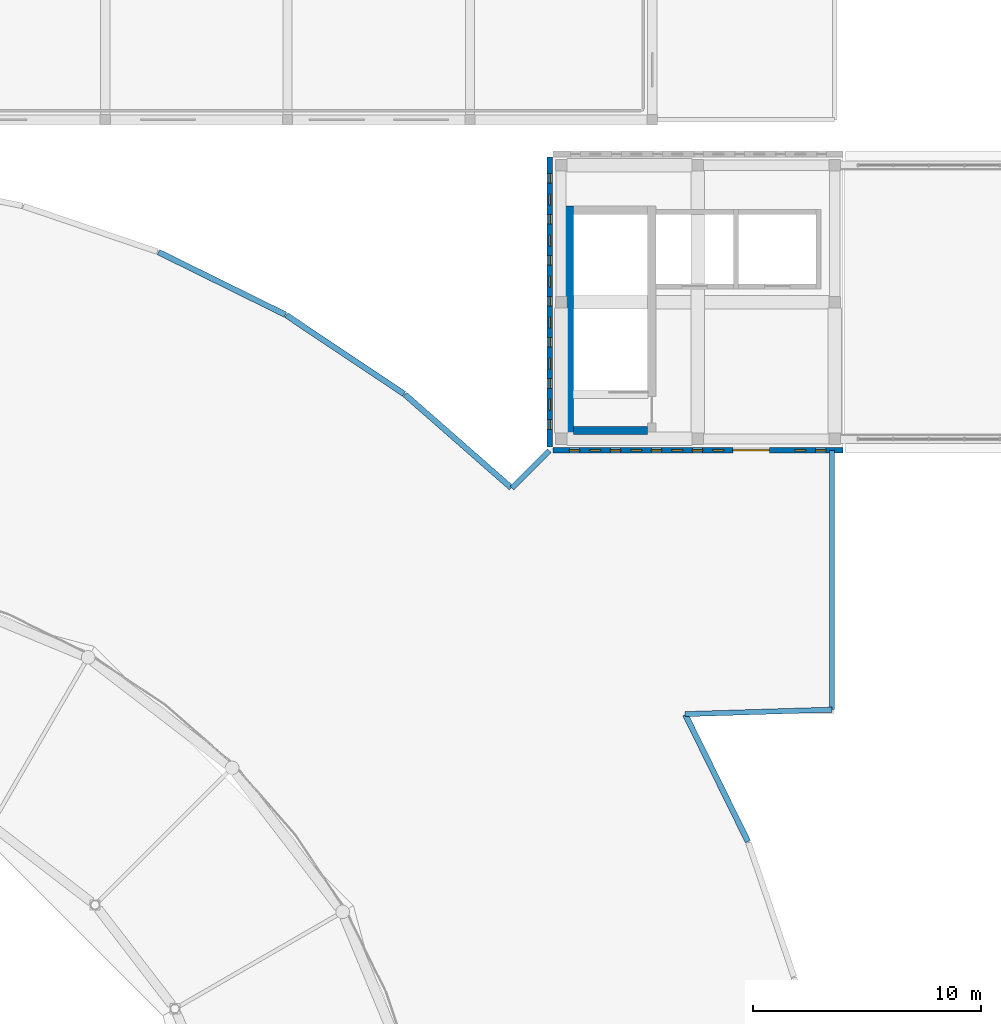
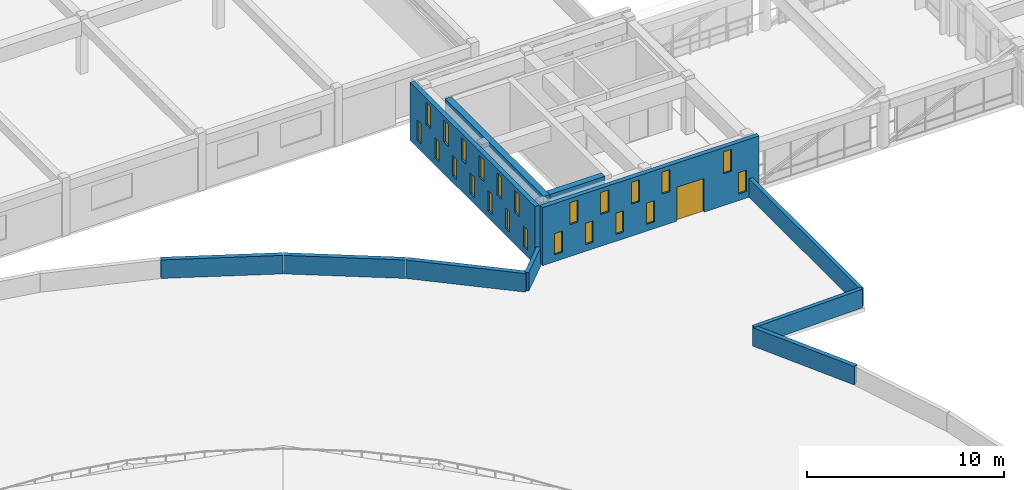
# One storey, part 57 of 77: 23 windows, 11 walls, 1 door, 24 openings.
"""IFC4 building model written with IfcOpenShell, lengths in metres."""

import ifcopenshell
import ifcopenshell.guid

model = None  # the IFC model being written
_history = None  # IfcOwnerHistory: only IFC2X3 demands one
_inside = {}  # id of a spatial element -> (the spatial element, [elements in it])
_under = {}  # id of a project, library or spatial element -> (it, [spatial elements below it])
_declared = {}  # id of a project -> (the project, [libraries it declares])
_typed = {}  # id of a type object -> (the type object, [elements of that type])
_made_of = {}  # id of a material, layer set ... -> (it, [elements and type objects made of it])


def new_model(schema):
    """Start an empty IFC model of exactly this schema.

    Asked for "IFC4X3", IfcOpenShell would pick the latest addendum, in which some entities
    have other attributes; the version numbers below select the first issue.
    IFC2X3 requires an IfcOwnerHistory on every rooted entity: one is made here for all.
    """
    global model, _history
    if schema == "IFC4X3":
        model = ifcopenshell.file(schema_version=(4, 3, 0, 0))
    else:
        model = ifcopenshell.file(schema=schema)
    _inside.clear()
    _under.clear()
    _declared.clear()
    _typed.clear()
    _made_of.clear()
    _history = None
    if model.schema == "IFC2X3":
        org = make("IfcOrganization", Name="unknown")
        user = make(
            "IfcPersonAndOrganization",
            ThePerson=make("IfcPerson", FamilyName="unknown"),
            TheOrganization=org,
        )
        app = make(
            "IfcApplication",
            ApplicationDeveloper=org,
            Version="unknown",
            ApplicationFullName="unknown",
            ApplicationIdentifier="unknown",
        )
        _history = make(
            "IfcOwnerHistory",
            OwningUser=user,
            OwningApplication=app,
            ChangeAction="ADDED",
            CreationDate=0,
        )
    return model


def make(cls, **values):
    """One entity of the class cls with the attributes given. An attribute that is None is left unset."""
    return model.create_entity(
        cls, **{name: value for name, value in values.items() if value is not None}
    )


def rooted(cls, **values):
    """An entity with a GlobalId (a new one), such as an element, a storey or a relation."""
    return make(cls, GlobalId=ifcopenshell.guid.new(), OwnerHistory=_history, **values)


def si_unit(unit_type, name, prefix=None):
    """IfcSIUnit, for example si_unit("LENGTHUNIT", "METRE", prefix="MILLI")."""
    return make("IfcSIUnit", UnitType=unit_type, Prefix=prefix, Name=name)


def assignment(units):
    """IfcUnitAssignment: the units of a project."""
    return None if units is None else make("IfcUnitAssignment", Units=units)


def point(xyz):
    """IfcCartesianPoint."""
    return None if xyz is None else make("IfcCartesianPoint", Coordinates=xyz)


def direction(xyz):
    """IfcDirection."""
    return None if xyz is None else make("IfcDirection", DirectionRatios=xyz)


def frame(location, z_axis=None, x_axis=None):
    """IfcAxis2Placement3D, a coordinate frame: its origin and axes. An axis left out is left unset."""
    return make(
        "IfcAxis2Placement3D",
        Location=point(location),
        Axis=direction(z_axis),
        RefDirection=direction(x_axis),
    )


def frame_2d(location, x_axis=None):
    """IfcAxis2Placement2D, a coordinate frame in the plane: its origin and x axis."""
    return make(
        "IfcAxis2Placement2D", Location=point(location), RefDirection=direction(x_axis)
    )


def origin():
    """The frame at (0, 0, 0) with its axes left unset."""
    return frame((0.0, 0.0, 0.0))


def place(relative_to, where):
    """IfcLocalPlacement: puts the frame where relative to a parent placement (None: the world)."""
    return make(
        "IfcLocalPlacement", PlacementRelTo=relative_to, RelativePlacement=where
    )


def context(
    kind, dimensions, precision=None, world=None, true_north=None, identifier=None
):
    """IfcGeometricRepresentationContext, for example the 3D "Model" context."""
    return make(
        "IfcGeometricRepresentationContext",
        ContextIdentifier=identifier,
        ContextType=kind,
        CoordinateSpaceDimension=dimensions,
        Precision=precision,
        WorldCoordinateSystem=world,
        TrueNorth=true_north,
    )


def subcontext(parent, identifier, kind, view, scale=None):
    """IfcGeometricRepresentationSubContext, for example "Body" below "Model"."""
    return make(
        "IfcGeometricRepresentationSubContext",
        ContextIdentifier=identifier,
        ContextType=kind,
        ParentContext=parent,
        TargetScale=scale,
        TargetView=view,
    )


def project(units=None, contexts=None):
    """IfcProject with its units and contexts."""
    return rooted(
        "IfcProject",
        Name="project",
        RepresentationContexts=contexts,
        UnitsInContext=assignment(units),
    )


def spatial(cls, under=None, at=None, **own):
    """A site, building, storey or space (cls), placed at a placement, below another one or the project."""
    s = rooted(cls, ObjectPlacement=at, **own)
    if under is not None:
        _under.setdefault(under.id(), (under, []))[1].append(s)
    return s


def profile(cls, at=None, kind="AREA", **sizes):
    """A parametric profile (cls). Its sizes go by their IFC names, for example OverallWidth=200.0."""
    return make(cls, ProfileType=kind, Position=at, **sizes)


def rectangle(**sizes):
    """IfcRectangleProfileDef."""
    return profile("IfcRectangleProfileDef", **sizes)


def extrude(swept, where, along, depth):
    """IfcExtrudedAreaSolid: the profile swept, set in the frame where, extruded along a direction by depth."""
    return make(
        "IfcExtrudedAreaSolid",
        SweptArea=swept,
        Position=where,
        ExtrudedDirection=direction(along),
        Depth=depth,
    )


def shape(context_of_items, identifier, shape_type, items):
    """IfcShapeRepresentation: the items that make up one representation, for example the "Body"."""
    return make(
        "IfcShapeRepresentation",
        ContextOfItems=context_of_items,
        RepresentationIdentifier=identifier,
        RepresentationType=shape_type,
        Items=items,
    )


def material(Name=None, Category=None):
    """IfcMaterial."""
    return make("IfcMaterial", Name=Name, Category=Category)


def layer(
    of_material, thickness, ventilated=None, Name=None, Category=None, Priority=None
):
    """IfcMaterialLayer: one layer of a wall or slab, of a material (None: an air gap)."""
    return make(
        "IfcMaterialLayer",
        Material=of_material,
        LayerThickness=thickness,
        IsVentilated=ventilated,
        Name=Name,
        Category=Category,
        Priority=Priority,
    )


def layer_set(layers, Name=None):
    """IfcMaterialLayerSet."""
    return make("IfcMaterialLayerSet", MaterialLayers=layers, LayerSetName=Name)


def made_of(thing, what):
    """Note that an element or type object is made of a material, layer set ...; save() writes the relation."""
    if what is not None:
        _made_of.setdefault(what.id(), (what, []))[1].append(thing)
    return thing


def type_object(cls, material=None, **own):
    """A type object (cls), such as IfcWallType, which elements share."""
    return made_of(rooted(cls, **own), material)


def element(
    cls,
    number,
    at=None,
    inside=None,
    cuts=None,
    type_object=None,
    material=None,
    context=None,
    identifier="Body",
    shape_type=None,
    held_by="IfcProductDefinitionShape",
    body=None,
    shapes=None,
    **own,
):
    """One element of the class cls, such as IfcWall. Its Tag is "e" and its number.

    at: its placement. inside: the storey or other place that contains it. cuts: it is an
    opening in that element (IfcRelVoidsElement). A single representation is given by context,
    identifier, shape_type and body (its items); several are given by shapes. held_by: the class
    of the entity that holds the representations. save() writes the other relations.
    """
    e = rooted(cls, Tag="e%d" % number, ObjectPlacement=at, **own)
    if body is not None:
        shapes = [shape(context, identifier, shape_type, body)]
    if shapes is not None:
        e.Representation = make(held_by, Representations=shapes)
    if inside is not None:
        _inside.setdefault(inside.id(), (inside, []))[1].append(e)
    if cuts is not None:
        rooted(
            "IfcRelVoidsElement", RelatingBuildingElement=cuts, RelatedOpeningElement=e
        )
    if type_object is not None:
        _typed.setdefault(type_object.id(), (type_object, []))[1].append(e)
    return made_of(e, material)


def fill(opening, filler):
    """IfcRelFillsElement: the door or window that sits in an opening."""
    return rooted(
        "IfcRelFillsElement",
        RelatingOpeningElement=opening,
        RelatedBuildingElement=filler,
    )


def aggregate(whole, parts):
    """IfcRelAggregates: a whole, such as a stair, and the parts it consists of."""
    return rooted("IfcRelAggregates", RelatingObject=whole, RelatedObjects=parts)


def save(model, path):
    """Write the relations noted so far, then the file.

    IfcRelAggregates (storeys below a building ...), IfcRelContainedInSpatialStructure (elements
    in a storey), IfcRelDefinesByType, IfcRelAssociatesMaterial and IfcRelDeclares: one each for
    every whole, place, type object, material and project.
    """
    for whole, parts in _under.values():
        aggregate(whole, parts)
    for where, things in _inside.values():
        rooted(
            "IfcRelContainedInSpatialStructure",
            RelatedElements=things,
            RelatingStructure=where,
        )
    for kind, things in _typed.values():
        rooted("IfcRelDefinesByType", RelatedObjects=things, RelatingType=kind)
    for what, things in _made_of.values():
        rooted("IfcRelAssociatesMaterial", RelatedObjects=things, RelatingMaterial=what)
    for by, libraries in _declared.values():
        rooted("IfcRelDeclares", RelatingContext=by, RelatedDefinitions=libraries)
    model.write(path)


model = new_model("IFC4")

# Units and contexts
model_context = context("Model", 3, precision=1e-05, world=origin(), true_north=direction((0.0, 1.0)))
body_context = subcontext(model_context, "Body", "Model", "MODEL_VIEW")
ifc_project = project(units=[si_unit("LENGTHUNIT", "METRE"), si_unit("AREAUNIT", "SQUARE_METRE"), si_unit("VOLUMEUNIT", "CUBIC_METRE"), si_unit("PLANEANGLEUNIT", "RADIAN"), si_unit("MASSUNIT", "GRAM", prefix="KILO")], contexts=[model_context])

# Site, building, storey
site_placement = place(None, origin())
site = spatial("IfcSite", under=ifc_project, at=site_placement, CompositionType="ELEMENT")
building_placement = place(site_placement, origin())
building = spatial("IfcBuilding", under=site, at=building_placement, Name="Larkveld Mobility Hub", CompositionType="ELEMENT")
storey_placement = place(building_placement, frame((0.0, 0.0, 12.0)))
storey = spatial("IfcBuildingStorey", under=building, at=storey_placement, Name="L03", CompositionType="ELEMENT", Elevation=12.0)

# Wall, openings, windows
ifc_material_1 = material(Name="Fired clay brick 25 MPa", Category="masonry")
ifc_layer_1 = layer(ifc_material_1, 0.260009765625, Name="Fired clay brick 25 MPa", Category="masonry")
ifc_layer_set_1 = layer_set([ifc_layer_1], Name="Fired clay brick 25 MPa")
wall_type_1 = type_object("IfcWallType", Name="WL-BRK-260", PredefinedType="USERDEFINED", material=ifc_layer_set_1)
wall_1_placement = place(storey_placement, frame((83.5, 96.360107421875, 0.0), z_axis=(0.0, 0.0, 1.0), x_axis=(0.0, -1.0, 0.0)))
wall_1 = element("IfcWall", 1, at=wall_1_placement, inside=storey, type_object=wall_type_1, Name="Square Brick Pavilion W Wall L03-0151", ObjectType="PERFORATED BRICK SCREEN", PredefinedType="USERDEFINED", context=body_context, shape_type="SweptSolid", body=[
    extrude(rectangle(XDim=12.72021484375, YDim=0.260009765625, at=frame_2d((6.360107421875, 0.0))), origin(), (0.0, 0.0, 1.0), 3.60009765625),
])
opening_1_placement = place(wall_1_placement, frame((0.719970703125, 0.0, 0.419921875)))
opening_1 = element("IfcOpeningElement", 2, at=opening_1_placement, cuts=wall_1, Name="Opening W01", PredefinedType="OPENING", context=body_context, shape_type="SweptSolid", body=[
    extrude(rectangle(XDim=0.419921875, YDim=1.280029296875, at=frame_2d((0.2099609375, 0.64013671875))), frame((0.0, 0.14013671875, 0.0), z_axis=(0.0, -1.0, 0.0), x_axis=(1.0, 0.0, 0.0)), (0.0, 0.0, 1.0), 0.280029296875),
])
opening_2_placement = place(wall_1_placement, frame((2.52001953125, 0.0, 0.419921875)))
opening_2 = element("IfcOpeningElement", 3, at=opening_2_placement, cuts=wall_1, Name="Opening W01", PredefinedType="OPENING", context=body_context, shape_type="SweptSolid", body=[
    extrude(rectangle(XDim=0.419921875, YDim=1.280029296875, at=frame_2d((0.2099609375, 0.64013671875))), frame((0.0, 0.14013671875, 0.0), z_axis=(0.0, -1.0, 0.0), x_axis=(1.0, 0.0, 0.0)), (0.0, 0.0, 1.0), 0.280029296875),
])
opening_3_placement = place(wall_1_placement, frame((4.320068359375, 0.0, 0.419921875)))
opening_3 = element("IfcOpeningElement", 4, at=opening_3_placement, cuts=wall_1, Name="Opening W01", PredefinedType="OPENING", context=body_context, shape_type="SweptSolid", body=[
    extrude(rectangle(XDim=0.419921875, YDim=1.280029296875, at=frame_2d((0.2099609375, 0.64013671875))), frame((0.0, 0.14013671875, 0.0), z_axis=(0.0, -1.0, 0.0), x_axis=(1.0, 0.0, 0.0)), (0.0, 0.0, 1.0), 0.280029296875),
])
opening_4_placement = place(wall_1_placement, frame((6.1201171875, 0.0, 0.419921875)))
opening_4 = element("IfcOpeningElement", 5, at=opening_4_placement, cuts=wall_1, Name="Opening W01", PredefinedType="OPENING", context=body_context, shape_type="SweptSolid", body=[
    extrude(rectangle(XDim=0.419921875, YDim=1.280029296875, at=frame_2d((0.2099609375, 0.64013671875))), frame((0.0, 0.14013671875, 0.0), z_axis=(0.0, -1.0, 0.0), x_axis=(1.0, 0.0, 0.0)), (0.0, 0.0, 1.0), 0.280029296875),
])
opening_5_placement = place(wall_1_placement, frame((7.919921875, 0.0, 0.419921875)))
opening_5 = element("IfcOpeningElement", 6, at=opening_5_placement, cuts=wall_1, Name="Opening W01", PredefinedType="OPENING", context=body_context, shape_type="SweptSolid", body=[
    extrude(rectangle(XDim=0.419921875, YDim=1.280029296875, at=frame_2d((0.2099609375, 0.64013671875))), frame((0.0, 0.14013671875, 0.0), z_axis=(0.0, -1.0, 0.0), x_axis=(1.0, 0.0, 0.0)), (0.0, 0.0, 1.0), 0.280029296875),
])
opening_6_placement = place(wall_1_placement, frame((9.719970703125, 0.0, 0.419921875)))
opening_6 = element("IfcOpeningElement", 7, at=opening_6_placement, cuts=wall_1, Name="Opening W01", PredefinedType="OPENING", context=body_context, shape_type="SweptSolid", body=[
    extrude(rectangle(XDim=0.419921875, YDim=1.280029296875, at=frame_2d((0.2099609375, 0.64013671875))), frame((0.0, 0.14013671875, 0.0), z_axis=(0.0, -1.0, 0.0), x_axis=(1.0, 0.0, 0.0)), (0.0, 0.0, 1.0), 0.280029296875),
])
opening_7_placement = place(wall_1_placement, frame((11.52001953125, 0.0, 0.419921875)))
opening_7 = element("IfcOpeningElement", 8, at=opening_7_placement, cuts=wall_1, Name="Opening W01", PredefinedType="OPENING", context=body_context, shape_type="SweptSolid", body=[
    extrude(rectangle(XDim=0.419921875, YDim=1.280029296875, at=frame_2d((0.2099609375, 0.64013671875))), frame((0.0, 0.14013671875, 0.0), z_axis=(0.0, -1.0, 0.0), x_axis=(1.0, 0.0, 0.0)), (0.0, 0.0, 1.0), 0.280029296875),
])
opening_8_placement = place(wall_1_placement, frame((1.6201171875, 0.0, 1.97998046875)))
opening_8 = element("IfcOpeningElement", 9, at=opening_8_placement, cuts=wall_1, Name="Opening W03", PredefinedType="OPENING", context=body_context, shape_type="SweptSolid", body=[
    extrude(rectangle(XDim=0.47998046875, YDim=1.360107421875, at=frame_2d((0.239990234375, 0.68017578125))), frame((0.0, 0.14013671875, 0.0), z_axis=(0.0, -1.0, 0.0), x_axis=(1.0, 0.0, 0.0)), (0.0, 0.0, 1.0), 0.280029296875),
])
opening_9_placement = place(wall_1_placement, frame((3.419921875, 0.0, 1.97998046875)))
opening_9 = element("IfcOpeningElement", 10, at=opening_9_placement, cuts=wall_1, Name="Opening W03", PredefinedType="OPENING", context=body_context, shape_type="SweptSolid", body=[
    extrude(rectangle(XDim=0.47998046875, YDim=1.360107421875, at=frame_2d((0.239990234375, 0.68017578125))), frame((0.0, 0.14013671875, 0.0), z_axis=(0.0, -1.0, 0.0), x_axis=(1.0, 0.0, 0.0)), (0.0, 0.0, 1.0), 0.280029296875),
])
opening_10_placement = place(wall_1_placement, frame((5.219970703125, 0.0, 1.97998046875)))
opening_10 = element("IfcOpeningElement", 11, at=opening_10_placement, cuts=wall_1, Name="Opening W03", PredefinedType="OPENING", context=body_context, shape_type="SweptSolid", body=[
    extrude(rectangle(XDim=0.47998046875, YDim=1.360107421875, at=frame_2d((0.239990234375, 0.68017578125))), frame((0.0, 0.14013671875, 0.0), z_axis=(0.0, -1.0, 0.0), x_axis=(1.0, 0.0, 0.0)), (0.0, 0.0, 1.0), 0.280029296875),
])
opening_11_placement = place(wall_1_placement, frame((7.02001953125, 0.0, 1.97998046875)))
opening_11 = element("IfcOpeningElement", 12, at=opening_11_placement, cuts=wall_1, Name="Opening W03", PredefinedType="OPENING", context=body_context, shape_type="SweptSolid", body=[
    extrude(rectangle(XDim=0.47998046875, YDim=1.360107421875, at=frame_2d((0.239990234375, 0.68017578125))), frame((0.0, 0.14013671875, 0.0), z_axis=(0.0, -1.0, 0.0), x_axis=(1.0, 0.0, 0.0)), (0.0, 0.0, 1.0), 0.280029296875),
])
opening_12_placement = place(wall_1_placement, frame((8.820068359375, 0.0, 1.97998046875)))
opening_12 = element("IfcOpeningElement", 13, at=opening_12_placement, cuts=wall_1, Name="Opening W03", PredefinedType="OPENING", context=body_context, shape_type="SweptSolid", body=[
    extrude(rectangle(XDim=0.47998046875, YDim=1.360107421875, at=frame_2d((0.239990234375, 0.68017578125))), frame((0.0, 0.14013671875, 0.0), z_axis=(0.0, -1.0, 0.0), x_axis=(1.0, 0.0, 0.0)), (0.0, 0.0, 1.0), 0.280029296875),
])
opening_13_placement = place(wall_1_placement, frame((10.6201171875, 0.0, 1.97998046875)))
opening_13 = element("IfcOpeningElement", 14, at=opening_13_placement, cuts=wall_1, Name="Opening W03", PredefinedType="OPENING", context=body_context, shape_type="SweptSolid", body=[
    extrude(rectangle(XDim=0.47998046875, YDim=1.360107421875, at=frame_2d((0.239990234375, 0.68017578125))), frame((0.0, 0.14013671875, 0.0), z_axis=(0.0, -1.0, 0.0), x_axis=(1.0, 0.0, 0.0)), (0.0, 0.0, 1.0), 0.280029296875),
])
ifc_material_2 = material(Name="Extruded aluminium ventilation grille", Category="aluminium")
window_type_1 = type_object("IfcWindowType", Name="WN-VENT-01", PartitioningType="SINGLE_PANEL", PredefinedType="WINDOW", material=ifc_material_2)
window_1_placement = place(opening_1_placement, origin())
window_1 = element("IfcWindow", 15, at=window_1_placement, inside=storey, type_object=window_type_1, Name="Window W01 (0795)", OverallHeight=1.280029296875, OverallWidth=0.419921875, PartitioningType="SINGLE_PANEL", PredefinedType="WINDOW", context=body_context, shape_type="SweptSolid", body=[
    extrude(rectangle(XDim=0.419921875, YDim=1.280029296875, at=frame_2d((0.2099609375, 0.64013671875))), frame((0.0, 0.030029296875, 0.0), z_axis=(0.0, -1.0, 0.0), x_axis=(1.0, 0.0, 0.0)), (0.0, 0.0, 1.0), 0.06005859375),
])
fill(opening_1, window_1)
window_2_placement = place(opening_2_placement, origin())
window_2 = element("IfcWindow", 16, at=window_2_placement, inside=storey, type_object=window_type_1, Name="Window W01 (0796)", OverallHeight=1.280029296875, OverallWidth=0.419921875, PartitioningType="SINGLE_PANEL", PredefinedType="WINDOW", context=body_context, shape_type="SweptSolid", body=[
    extrude(rectangle(XDim=0.419921875, YDim=1.280029296875, at=frame_2d((0.2099609375, 0.64013671875))), frame((0.0, 0.030029296875, 0.0), z_axis=(0.0, -1.0, 0.0), x_axis=(1.0, 0.0, 0.0)), (0.0, 0.0, 1.0), 0.06005859375),
])
fill(opening_2, window_2)
window_3_placement = place(opening_3_placement, origin())
window_3 = element("IfcWindow", 17, at=window_3_placement, inside=storey, type_object=window_type_1, Name="Window W01 (0797)", OverallHeight=1.280029296875, OverallWidth=0.419921875, PartitioningType="SINGLE_PANEL", PredefinedType="WINDOW", context=body_context, shape_type="SweptSolid", body=[
    extrude(rectangle(XDim=0.419921875, YDim=1.280029296875, at=frame_2d((0.2099609375, 0.64013671875))), frame((0.0, 0.030029296875, 0.0), z_axis=(0.0, -1.0, 0.0), x_axis=(1.0, 0.0, 0.0)), (0.0, 0.0, 1.0), 0.06005859375),
])
fill(opening_3, window_3)
window_4_placement = place(opening_4_placement, origin())
window_4 = element("IfcWindow", 18, at=window_4_placement, inside=storey, type_object=window_type_1, Name="Window W01 (0798)", OverallHeight=1.280029296875, OverallWidth=0.419921875, PartitioningType="SINGLE_PANEL", PredefinedType="WINDOW", context=body_context, shape_type="SweptSolid", body=[
    extrude(rectangle(XDim=0.419921875, YDim=1.280029296875, at=frame_2d((0.2099609375, 0.64013671875))), frame((0.0, 0.030029296875, 0.0), z_axis=(0.0, -1.0, 0.0), x_axis=(1.0, 0.0, 0.0)), (0.0, 0.0, 1.0), 0.06005859375),
])
fill(opening_4, window_4)
window_5_placement = place(opening_5_placement, origin())
window_5 = element("IfcWindow", 19, at=window_5_placement, inside=storey, type_object=window_type_1, Name="Window W01 (0799)", OverallHeight=1.280029296875, OverallWidth=0.419921875, PartitioningType="SINGLE_PANEL", PredefinedType="WINDOW", context=body_context, shape_type="SweptSolid", body=[
    extrude(rectangle(XDim=0.419921875, YDim=1.280029296875, at=frame_2d((0.2099609375, 0.64013671875))), frame((0.0, 0.030029296875, 0.0), z_axis=(0.0, -1.0, 0.0), x_axis=(1.0, 0.0, 0.0)), (0.0, 0.0, 1.0), 0.06005859375),
])
fill(opening_5, window_5)
window_6_placement = place(opening_6_placement, origin())
window_6 = element("IfcWindow", 20, at=window_6_placement, inside=storey, type_object=window_type_1, Name="Window W01 (0800)", OverallHeight=1.280029296875, OverallWidth=0.419921875, PartitioningType="SINGLE_PANEL", PredefinedType="WINDOW", context=body_context, shape_type="SweptSolid", body=[
    extrude(rectangle(XDim=0.419921875, YDim=1.280029296875, at=frame_2d((0.2099609375, 0.64013671875))), frame((0.0, 0.030029296875, 0.0), z_axis=(0.0, -1.0, 0.0), x_axis=(1.0, 0.0, 0.0)), (0.0, 0.0, 1.0), 0.06005859375),
])
fill(opening_6, window_6)
window_7_placement = place(opening_7_placement, origin())
window_7 = element("IfcWindow", 21, at=window_7_placement, inside=storey, type_object=window_type_1, Name="Window W01 (0801)", OverallHeight=1.280029296875, OverallWidth=0.419921875, PartitioningType="SINGLE_PANEL", PredefinedType="WINDOW", context=body_context, shape_type="SweptSolid", body=[
    extrude(rectangle(XDim=0.419921875, YDim=1.280029296875, at=frame_2d((0.2099609375, 0.64013671875))), frame((0.0, 0.030029296875, 0.0), z_axis=(0.0, -1.0, 0.0), x_axis=(1.0, 0.0, 0.0)), (0.0, 0.0, 1.0), 0.06005859375),
])
fill(opening_7, window_7)
window_type_2 = type_object("IfcWindowType", Name="WN-VENT-03", PartitioningType="SINGLE_PANEL", PredefinedType="WINDOW", material=ifc_material_2)
window_8_placement = place(opening_8_placement, origin())
window_8 = element("IfcWindow", 22, at=window_8_placement, inside=storey, type_object=window_type_2, Name="Window W03 (0802)", OverallHeight=1.360107421875, OverallWidth=0.47998046875, PartitioningType="SINGLE_PANEL", PredefinedType="WINDOW", context=body_context, shape_type="SweptSolid", body=[
    extrude(rectangle(XDim=0.47998046875, YDim=1.360107421875, at=frame_2d((0.239990234375, 0.68017578125))), frame((0.0, 0.030029296875, 0.0), z_axis=(0.0, -1.0, 0.0), x_axis=(1.0, 0.0, 0.0)), (0.0, 0.0, 1.0), 0.06005859375),
])
fill(opening_8, window_8)
window_9_placement = place(opening_9_placement, origin())
window_9 = element("IfcWindow", 23, at=window_9_placement, inside=storey, type_object=window_type_2, Name="Window W03 (0803)", OverallHeight=1.360107421875, OverallWidth=0.47998046875, PartitioningType="SINGLE_PANEL", PredefinedType="WINDOW", context=body_context, shape_type="SweptSolid", body=[
    extrude(rectangle(XDim=0.47998046875, YDim=1.360107421875, at=frame_2d((0.239990234375, 0.68017578125))), frame((0.0, 0.030029296875, 0.0), z_axis=(0.0, -1.0, 0.0), x_axis=(1.0, 0.0, 0.0)), (0.0, 0.0, 1.0), 0.06005859375),
])
fill(opening_9, window_9)
window_10_placement = place(opening_10_placement, origin())
window_10 = element("IfcWindow", 24, at=window_10_placement, inside=storey, type_object=window_type_2, Name="Window W03 (0804)", OverallHeight=1.360107421875, OverallWidth=0.47998046875, PartitioningType="SINGLE_PANEL", PredefinedType="WINDOW", context=body_context, shape_type="SweptSolid", body=[
    extrude(rectangle(XDim=0.47998046875, YDim=1.360107421875, at=frame_2d((0.239990234375, 0.68017578125))), frame((0.0, 0.030029296875, 0.0), z_axis=(0.0, -1.0, 0.0), x_axis=(1.0, 0.0, 0.0)), (0.0, 0.0, 1.0), 0.06005859375),
])
fill(opening_10, window_10)
window_11_placement = place(opening_11_placement, origin())
window_11 = element("IfcWindow", 25, at=window_11_placement, inside=storey, type_object=window_type_2, Name="Window W03 (0805)", OverallHeight=1.360107421875, OverallWidth=0.47998046875, PartitioningType="SINGLE_PANEL", PredefinedType="WINDOW", context=body_context, shape_type="SweptSolid", body=[
    extrude(rectangle(XDim=0.47998046875, YDim=1.360107421875, at=frame_2d((0.239990234375, 0.68017578125))), frame((0.0, 0.030029296875, 0.0), z_axis=(0.0, -1.0, 0.0), x_axis=(1.0, 0.0, 0.0)), (0.0, 0.0, 1.0), 0.06005859375),
])
fill(opening_11, window_11)
window_12_placement = place(opening_12_placement, origin())
window_12 = element("IfcWindow", 26, at=window_12_placement, inside=storey, type_object=window_type_2, Name="Window W03 (0806)", OverallHeight=1.360107421875, OverallWidth=0.47998046875, PartitioningType="SINGLE_PANEL", PredefinedType="WINDOW", context=body_context, shape_type="SweptSolid", body=[
    extrude(rectangle(XDim=0.47998046875, YDim=1.360107421875, at=frame_2d((0.239990234375, 0.68017578125))), frame((0.0, 0.030029296875, 0.0), z_axis=(0.0, -1.0, 0.0), x_axis=(1.0, 0.0, 0.0)), (0.0, 0.0, 1.0), 0.06005859375),
])
fill(opening_12, window_12)
window_13_placement = place(opening_13_placement, origin())
window_13 = element("IfcWindow", 27, at=window_13_placement, inside=storey, type_object=window_type_2, Name="Window W03 (0807)", OverallHeight=1.360107421875, OverallWidth=0.47998046875, PartitioningType="SINGLE_PANEL", PredefinedType="WINDOW", context=body_context, shape_type="SweptSolid", body=[
    extrude(rectangle(XDim=0.47998046875, YDim=1.360107421875, at=frame_2d((0.239990234375, 0.68017578125))), frame((0.0, 0.030029296875, 0.0), z_axis=(0.0, -1.0, 0.0), x_axis=(1.0, 0.0, 0.0)), (0.0, 0.0, 1.0), 0.06005859375),
])
fill(opening_13, window_13)

# Wall, openings, door, windows
wall_2_placement = place(storey_placement, frame((83.639892578125, 83.5, 0.0), z_axis=(0.0, 0.0, 1.0), x_axis=(1.0, 0.0, 0.0)))
wall_2 = element("IfcWall", 28, at=wall_2_placement, inside=storey, type_object=wall_type_1, Name="Square Brick Pavilion S Wall L03-0152", ObjectType="PERFORATED BRICK SCREEN", PredefinedType="USERDEFINED", context=body_context, shape_type="SweptSolid", body=[
    extrude(rectangle(XDim=12.72021484375, YDim=0.260009765625, at=frame_2d((6.360107421875, 0.0))), origin(), (0.0, 0.0, 1.0), 3.60009765625),
])
opening_14_placement = place(wall_2_placement, frame((7.89990234375, 0.0, 0.0)))
opening_14 = element("IfcOpeningElement", 29, at=opening_14_placement, cuts=wall_2, Name="Opening ED07", PredefinedType="OPENING", context=body_context, shape_type="SweptSolid", body=[
    extrude(rectangle(XDim=1.60009765625, YDim=2.10009765625, at=frame_2d((0.800048828125, 1.050048828125))), frame((0.0, 0.14013671875, 0.0), z_axis=(0.0, -1.0, 0.0), x_axis=(1.0, 0.0, 0.0)), (0.0, 0.0, 1.0), 0.280029296875),
])
opening_15_placement = place(wall_2_placement, frame((0.719970703125, 0.0, 0.419921875)))
opening_15 = element("IfcOpeningElement", 30, at=opening_15_placement, cuts=wall_2, Name="Opening W02", PredefinedType="OPENING", context=body_context, shape_type="SweptSolid", body=[
    extrude(rectangle(XDim=0.449951171875, YDim=1.320068359375, at=frame_2d((0.22509765625, 0.66015625))), frame((0.0, 0.14013671875, 0.0), z_axis=(0.0, -1.0, 0.0), x_axis=(1.0, 0.0, 0.0)), (0.0, 0.0, 1.0), 0.280029296875),
])
opening_16_placement = place(wall_2_placement, frame((2.52001953125, 0.0, 0.419921875)))
opening_16 = element("IfcOpeningElement", 31, at=opening_16_placement, cuts=wall_2, Name="Opening W02", PredefinedType="OPENING", context=body_context, shape_type="SweptSolid", body=[
    extrude(rectangle(XDim=0.449951171875, YDim=1.320068359375, at=frame_2d((0.22509765625, 0.66015625))), frame((0.0, 0.14013671875, 0.0), z_axis=(0.0, -1.0, 0.0), x_axis=(1.0, 0.0, 0.0)), (0.0, 0.0, 1.0), 0.280029296875),
])
opening_17_placement = place(wall_2_placement, frame((4.320068359375, 0.0, 0.419921875)))
opening_17 = element("IfcOpeningElement", 32, at=opening_17_placement, cuts=wall_2, Name="Opening W02", PredefinedType="OPENING", context=body_context, shape_type="SweptSolid", body=[
    extrude(rectangle(XDim=0.449951171875, YDim=1.320068359375, at=frame_2d((0.22509765625, 0.66015625))), frame((0.0, 0.14013671875, 0.0), z_axis=(0.0, -1.0, 0.0), x_axis=(1.0, 0.0, 0.0)), (0.0, 0.0, 1.0), 0.280029296875),
])
opening_18_placement = place(wall_2_placement, frame((6.1201171875, 0.0, 0.419921875)))
opening_18 = element("IfcOpeningElement", 33, at=opening_18_placement, cuts=wall_2, Name="Opening W02", PredefinedType="OPENING", context=body_context, shape_type="SweptSolid", body=[
    extrude(rectangle(XDim=0.449951171875, YDim=1.320068359375, at=frame_2d((0.22509765625, 0.66015625))), frame((0.0, 0.14013671875, 0.0), z_axis=(0.0, -1.0, 0.0), x_axis=(1.0, 0.0, 0.0)), (0.0, 0.0, 1.0), 0.280029296875),
])
opening_19_placement = place(wall_2_placement, frame((11.52001953125, 0.0, 0.419921875)))
opening_19 = element("IfcOpeningElement", 34, at=opening_19_placement, cuts=wall_2, Name="Opening W02", PredefinedType="OPENING", context=body_context, shape_type="SweptSolid", body=[
    extrude(rectangle(XDim=0.449951171875, YDim=1.320068359375, at=frame_2d((0.22509765625, 0.66015625))), frame((0.0, 0.14013671875, 0.0), z_axis=(0.0, -1.0, 0.0), x_axis=(1.0, 0.0, 0.0)), (0.0, 0.0, 1.0), 0.280029296875),
])
opening_20_placement = place(wall_2_placement, frame((1.6201171875, 0.0, 1.97998046875)))
opening_20 = element("IfcOpeningElement", 35, at=opening_20_placement, cuts=wall_2, Name="Opening W03", PredefinedType="OPENING", context=body_context, shape_type="SweptSolid", body=[
    extrude(rectangle(XDim=0.47998046875, YDim=1.360107421875, at=frame_2d((0.239990234375, 0.68017578125))), frame((0.0, 0.14013671875, 0.0), z_axis=(0.0, -1.0, 0.0), x_axis=(1.0, 0.0, 0.0)), (0.0, 0.0, 1.0), 0.280029296875),
])
opening_21_placement = place(wall_2_placement, frame((3.419921875, 0.0, 1.97998046875)))
opening_21 = element("IfcOpeningElement", 36, at=opening_21_placement, cuts=wall_2, Name="Opening W03", PredefinedType="OPENING", context=body_context, shape_type="SweptSolid", body=[
    extrude(rectangle(XDim=0.47998046875, YDim=1.360107421875, at=frame_2d((0.239990234375, 0.68017578125))), frame((0.0, 0.14013671875, 0.0), z_axis=(0.0, -1.0, 0.0), x_axis=(1.0, 0.0, 0.0)), (0.0, 0.0, 1.0), 0.280029296875),
])
opening_22_placement = place(wall_2_placement, frame((5.219970703125, 0.0, 1.97998046875)))
opening_22 = element("IfcOpeningElement", 37, at=opening_22_placement, cuts=wall_2, Name="Opening W03", PredefinedType="OPENING", context=body_context, shape_type="SweptSolid", body=[
    extrude(rectangle(XDim=0.47998046875, YDim=1.360107421875, at=frame_2d((0.239990234375, 0.68017578125))), frame((0.0, 0.14013671875, 0.0), z_axis=(0.0, -1.0, 0.0), x_axis=(1.0, 0.0, 0.0)), (0.0, 0.0, 1.0), 0.280029296875),
])
opening_23_placement = place(wall_2_placement, frame((7.02001953125, 0.0, 1.97998046875)))
opening_23 = element("IfcOpeningElement", 38, at=opening_23_placement, cuts=wall_2, Name="Opening W03", PredefinedType="OPENING", context=body_context, shape_type="SweptSolid", body=[
    extrude(rectangle(XDim=0.47998046875, YDim=1.360107421875, at=frame_2d((0.239990234375, 0.68017578125))), frame((0.0, 0.14013671875, 0.0), z_axis=(0.0, -1.0, 0.0), x_axis=(1.0, 0.0, 0.0)), (0.0, 0.0, 1.0), 0.280029296875),
])
opening_24_placement = place(wall_2_placement, frame((10.6201171875, 0.0, 1.97998046875)))
opening_24 = element("IfcOpeningElement", 39, at=opening_24_placement, cuts=wall_2, Name="Opening W03", PredefinedType="OPENING", context=body_context, shape_type="SweptSolid", body=[
    extrude(rectangle(XDim=0.47998046875, YDim=1.360107421875, at=frame_2d((0.239990234375, 0.68017578125))), frame((0.0, 0.14013671875, 0.0), z_axis=(0.0, -1.0, 0.0), x_axis=(1.0, 0.0, 0.0)), (0.0, 0.0, 1.0), 0.280029296875),
])
ifc_material_3 = material(Name="Anodised aluminium glazed terrace door", Category="aluminium")
door_type = type_object("IfcDoorType", Name="DR-EXT-TER16", OperationType="DOUBLE_DOOR_SINGLE_SWING", PredefinedType="DOOR", material=ifc_material_3)
door_placement = place(opening_14_placement, origin())
door = element("IfcDoor", 40, at=door_placement, inside=storey, type_object=door_type, Name="Drum Roof Garden Terrace Door EDR-L03-005", OperationType="DOUBLE_DOOR_SINGLE_SWING", OverallHeight=2.10009765625, OverallWidth=1.60009765625, PredefinedType="DOOR", context=body_context, shape_type="SweptSolid", body=[
    extrude(rectangle(XDim=1.60009765625, YDim=2.10009765625, at=frame_2d((0.800048828125, 1.050048828125))), frame((0.0, 0.02490234375, 0.0), z_axis=(0.0, -1.0, 0.0), x_axis=(1.0, 0.0, 0.0)), (0.0, 0.0, 1.0), 0.050048828125),
])
fill(opening_14, door)
window_type_3 = type_object("IfcWindowType", Name="WN-VENT-02", PartitioningType="SINGLE_PANEL", PredefinedType="WINDOW", material=ifc_material_2)
window_14_placement = place(opening_15_placement, origin())
window_14 = element("IfcWindow", 41, at=window_14_placement, inside=storey, type_object=window_type_3, Name="Window W02 (0808)", OverallHeight=1.320068359375, OverallWidth=0.449951171875, PartitioningType="SINGLE_PANEL", PredefinedType="WINDOW", context=body_context, shape_type="SweptSolid", body=[
    extrude(rectangle(XDim=0.449951171875, YDim=1.320068359375, at=frame_2d((0.22509765625, 0.66015625))), frame((0.0, 0.030029296875, 0.0), z_axis=(0.0, -1.0, 0.0), x_axis=(1.0, 0.0, 0.0)), (0.0, 0.0, 1.0), 0.06005859375),
])
fill(opening_15, window_14)
window_15_placement = place(opening_16_placement, origin())
window_15 = element("IfcWindow", 42, at=window_15_placement, inside=storey, type_object=window_type_3, Name="Window W02 (0809)", OverallHeight=1.320068359375, OverallWidth=0.449951171875, PartitioningType="SINGLE_PANEL", PredefinedType="WINDOW", context=body_context, shape_type="SweptSolid", body=[
    extrude(rectangle(XDim=0.449951171875, YDim=1.320068359375, at=frame_2d((0.22509765625, 0.66015625))), frame((0.0, 0.030029296875, 0.0), z_axis=(0.0, -1.0, 0.0), x_axis=(1.0, 0.0, 0.0)), (0.0, 0.0, 1.0), 0.06005859375),
])
fill(opening_16, window_15)
window_16_placement = place(opening_17_placement, origin())
window_16 = element("IfcWindow", 43, at=window_16_placement, inside=storey, type_object=window_type_3, Name="Window W02 (0810)", OverallHeight=1.320068359375, OverallWidth=0.449951171875, PartitioningType="SINGLE_PANEL", PredefinedType="WINDOW", context=body_context, shape_type="SweptSolid", body=[
    extrude(rectangle(XDim=0.449951171875, YDim=1.320068359375, at=frame_2d((0.22509765625, 0.66015625))), frame((0.0, 0.030029296875, 0.0), z_axis=(0.0, -1.0, 0.0), x_axis=(1.0, 0.0, 0.0)), (0.0, 0.0, 1.0), 0.06005859375),
])
fill(opening_17, window_16)
window_17_placement = place(opening_18_placement, origin())
window_17 = element("IfcWindow", 44, at=window_17_placement, inside=storey, type_object=window_type_3, Name="Window W02 (0811)", OverallHeight=1.320068359375, OverallWidth=0.449951171875, PartitioningType="SINGLE_PANEL", PredefinedType="WINDOW", context=body_context, shape_type="SweptSolid", body=[
    extrude(rectangle(XDim=0.449951171875, YDim=1.320068359375, at=frame_2d((0.22509765625, 0.66015625))), frame((0.0, 0.030029296875, 0.0), z_axis=(0.0, -1.0, 0.0), x_axis=(1.0, 0.0, 0.0)), (0.0, 0.0, 1.0), 0.06005859375),
])
fill(opening_18, window_17)
window_18_placement = place(opening_19_placement, origin())
window_18 = element("IfcWindow", 45, at=window_18_placement, inside=storey, type_object=window_type_3, Name="Window W02 (0812)", OverallHeight=1.320068359375, OverallWidth=0.449951171875, PartitioningType="SINGLE_PANEL", PredefinedType="WINDOW", context=body_context, shape_type="SweptSolid", body=[
    extrude(rectangle(XDim=0.449951171875, YDim=1.320068359375, at=frame_2d((0.22509765625, 0.66015625))), frame((0.0, 0.030029296875, 0.0), z_axis=(0.0, -1.0, 0.0), x_axis=(1.0, 0.0, 0.0)), (0.0, 0.0, 1.0), 0.06005859375),
])
fill(opening_19, window_18)
window_19_placement = place(opening_20_placement, origin())
window_19 = element("IfcWindow", 46, at=window_19_placement, inside=storey, type_object=window_type_2, Name="Window W03 (0813)", OverallHeight=1.360107421875, OverallWidth=0.47998046875, PartitioningType="SINGLE_PANEL", PredefinedType="WINDOW", context=body_context, shape_type="SweptSolid", body=[
    extrude(rectangle(XDim=0.47998046875, YDim=1.360107421875, at=frame_2d((0.239990234375, 0.68017578125))), frame((0.0, 0.030029296875, 0.0), z_axis=(0.0, -1.0, 0.0), x_axis=(1.0, 0.0, 0.0)), (0.0, 0.0, 1.0), 0.06005859375),
])
fill(opening_20, window_19)
window_20_placement = place(opening_21_placement, origin())
window_20 = element("IfcWindow", 47, at=window_20_placement, inside=storey, type_object=window_type_2, Name="Window W03 (0814)", OverallHeight=1.360107421875, OverallWidth=0.47998046875, PartitioningType="SINGLE_PANEL", PredefinedType="WINDOW", context=body_context, shape_type="SweptSolid", body=[
    extrude(rectangle(XDim=0.47998046875, YDim=1.360107421875, at=frame_2d((0.239990234375, 0.68017578125))), frame((0.0, 0.030029296875, 0.0), z_axis=(0.0, -1.0, 0.0), x_axis=(1.0, 0.0, 0.0)), (0.0, 0.0, 1.0), 0.06005859375),
])
fill(opening_21, window_20)
window_21_placement = place(opening_22_placement, origin())
window_21 = element("IfcWindow", 48, at=window_21_placement, inside=storey, type_object=window_type_2, Name="Window W03 (0815)", OverallHeight=1.360107421875, OverallWidth=0.47998046875, PartitioningType="SINGLE_PANEL", PredefinedType="WINDOW", context=body_context, shape_type="SweptSolid", body=[
    extrude(rectangle(XDim=0.47998046875, YDim=1.360107421875, at=frame_2d((0.239990234375, 0.68017578125))), frame((0.0, 0.030029296875, 0.0), z_axis=(0.0, -1.0, 0.0), x_axis=(1.0, 0.0, 0.0)), (0.0, 0.0, 1.0), 0.06005859375),
])
fill(opening_22, window_21)
window_22_placement = place(opening_23_placement, origin())
window_22 = element("IfcWindow", 49, at=window_22_placement, inside=storey, type_object=window_type_2, Name="Window W03 (0816)", OverallHeight=1.360107421875, OverallWidth=0.47998046875, PartitioningType="SINGLE_PANEL", PredefinedType="WINDOW", context=body_context, shape_type="SweptSolid", body=[
    extrude(rectangle(XDim=0.47998046875, YDim=1.360107421875, at=frame_2d((0.239990234375, 0.68017578125))), frame((0.0, 0.030029296875, 0.0), z_axis=(0.0, -1.0, 0.0), x_axis=(1.0, 0.0, 0.0)), (0.0, 0.0, 1.0), 0.06005859375),
])
fill(opening_23, window_22)
window_23_placement = place(opening_24_placement, origin())
window_23 = element("IfcWindow", 50, at=window_23_placement, inside=storey, type_object=window_type_2, Name="Window W03 (0817)", OverallHeight=1.360107421875, OverallWidth=0.47998046875, PartitioningType="SINGLE_PANEL", PredefinedType="WINDOW", context=body_context, shape_type="SweptSolid", body=[
    extrude(rectangle(XDim=0.47998046875, YDim=1.360107421875, at=frame_2d((0.239990234375, 0.68017578125))), frame((0.0, 0.030029296875, 0.0), z_axis=(0.0, -1.0, 0.0), x_axis=(1.0, 0.0, 0.0)), (0.0, 0.0, 1.0), 0.06005859375),
])
fill(opening_24, window_23)

# Walls
ifc_layer_2 = layer(ifc_material_1, 0.22509765625, Name="Fired clay brick 25 MPa", Category="masonry")
ifc_layer_set_2 = layer_set([ifc_layer_2], Name="Fired clay brick 25 MPa")
wall_type_2 = type_object("IfcWallType", Name="WL-PAR-225", PredefinedType="PARAPET", material=ifc_layer_set_2)
wall_3_placement = place(storey_placement, frame((89.43896484375, 71.925048828125, 0.0), z_axis=(0.0, 0.0, 1.0), x_axis=(0.999541700382, 0.030271920954, 0.0)))
element("IfcWall", 51, at=wall_3_placement, inside=storey, type_object=wall_type_2, Name="Drum Terrace Link South-East Parapet 0330", PredefinedType="PARAPET", context=body_context, shape_type="SweptSolid", body=[
    extrude(rectangle(XDim=6.44384765625, YDim=0.22509765625, at=frame_2d((3.221923828125, 0.0))), origin(), (0.0, 0.0, 1.0), 1.14990234375),
])
wall_4_placement = place(storey_placement, frame((95.8798828125, 72.1201171875, 0.0), z_axis=(0.0, 0.0, 1.0), x_axis=(0.0, 1.0, 0.0)))
element("IfcWall", 52, at=wall_4_placement, inside=storey, type_object=wall_type_2, Name="Drum Terrace Link South-East Parapet 0331", PredefinedType="PARAPET", context=body_context, shape_type="SweptSolid", body=[
    extrude(rectangle(XDim=11.35986328125, YDim=0.22509765625, at=frame_2d((5.679931640625, 0.0))), origin(), (0.0, 0.0, 1.0), 1.14990234375),
])
wall_5_placement = place(storey_placement, frame((83.47998046875, 83.47998046875, 0.0), z_axis=(0.0, 0.0, 1.0), x_axis=(-0.707106781187, -0.707106781187, 0.0)))
element("IfcWall", 53, at=wall_5_placement, inside=storey, type_object=wall_type_2, Name="Drum Terrace Link North-West Parapet 0332", PredefinedType="PARAPET", context=body_context, shape_type="SweptSolid", body=[
    extrude(rectangle(XDim=2.326416015625, YDim=0.22509765625, at=frame_2d((1.1630859375, 0.0))), origin(), (0.0, 0.0, 1.0), 1.14990234375),
])
ifc_layer_3 = layer(ifc_material_1, 0.25, Name="Fired clay brick 25 MPa", Category="masonry")
ifc_layer_set_3 = layer_set([ifc_layer_3], Name="Fired clay brick 25 MPa")
wall_type_3 = type_object("IfcWallType", Name="WL-PAR-250", PredefinedType="PARAPET", material=ifc_layer_set_3)
wall_6_placement = place(storey_placement, frame((92.197021484375, 66.3330078125, 0.0), z_axis=(0.0, 0.0, 1.0), x_axis=(-0.442316740488, 0.896858908126, 0.0)))
element("IfcWall", 54, at=wall_6_placement, inside=storey, type_object=wall_type_3, Name="Drum Uniform Outer Brick Parapet 0253", PredefinedType="PARAPET", context=body_context, shape_type="SweptSolid", body=[
    extrude(rectangle(XDim=6.210693359375, YDim=0.25, at=frame_2d((3.10546875, 0.0))), origin(), (0.0, 0.0, 1.0), 1.14990234375),
])
wall_7_placement = place(storey_placement, frame((81.81689453125, 81.85107421875, 0.0), z_axis=(0.0, 0.0, 1.0), x_axis=(-0.751874993266, 0.65930569124, 0.0)))
element("IfcWall", 55, at=wall_7_placement, inside=storey, type_object=wall_type_3, Name="Drum Uniform Outer Brick Parapet 0254", PredefinedType="PARAPET", context=body_context, shape_type="SweptSolid", body=[
    extrude(rectangle(XDim=6.2109375, YDim=0.25, at=frame_2d((3.10546875, 0.0))), origin(), (0.0, 0.0, 1.0), 1.14990234375),
])
for number, where, z_axis, x_axis, name in (
    (56, (77.10888671875, 85.97509765625, 0.0), (0.0, 0.0, 1.0), (-0.831426871608, 0.555634193664, 0.0), "Drum Uniform Outer Brick Parapet 0255"),
    (57, (71.903076171875, 89.449951171875, 0.0), (0.0, 0.0, 1.0), (-0.896858908126, 0.442316740488, 0.0), "Drum Uniform Outer Brick Parapet 0256"),
):
    element("IfcWall", number, at=place(storey_placement, frame(where, z_axis=z_axis, x_axis=x_axis)), inside=storey, type_object=wall_type_3, Name=name, PredefinedType="PARAPET", context=body_context, shape_type="SweptSolid", body=[
        extrude(rectangle(XDim=6.210693359375, YDim=0.25, at=frame_2d((3.10546875, 0.0))), origin(), (0.0, 0.0, 1.0), 1.14990234375),
    ])
ifc_material_4 = material(Name="Concrete C40/50", Category="concrete")
ifc_layer_4 = layer(ifc_material_4, 0.360107421875, Name="Concrete C40/50", Category="concrete")
ifc_layer_set_4 = layer_set([ifc_layer_4], Name="Concrete C40/50")
wall_type_4 = type_object("IfcWallType", Name="WL-SHR-05", PredefinedType="SHEAR", material=ifc_layer_set_4)
wall_8_placement = place(storey_placement, frame((84.3701171875, 84.18994140625, 0.0), z_axis=(0.0, 0.0, 1.0), x_axis=(0.0, 1.0, 0.0)))
element("IfcWall", 58, at=wall_8_placement, inside=storey, type_object=wall_type_4, Name="Core C5 Stair Shear Wall L03-W", PredefinedType="SHEAR", context=body_context, shape_type="SweptSolid", body=[
    extrude(rectangle(XDim=10.02001953125, YDim=0.360107421875, at=frame_2d((5.010009765625, 0.0))), origin(), (0.0, 0.0, 1.0), 3.60009765625),
])
wall_9_placement = place(storey_placement, frame((87.800048828125, 84.3701171875, 0.0), z_axis=(0.0, 0.0, 1.0), x_axis=(-1.0, 0.0, 0.0)))
element("IfcWall", 59, at=wall_9_placement, inside=storey, type_object=wall_type_4, Name="Core C5 Stair Shear Wall L03-S", PredefinedType="SHEAR", context=body_context, shape_type="SweptSolid", body=[
    extrude(rectangle(XDim=3.25, YDim=0.360107421875, at=frame_2d((1.625, 0.0))), origin(), (0.0, 0.0, 1.0), 3.60009765625),
])

save(model, "model.ifc")
